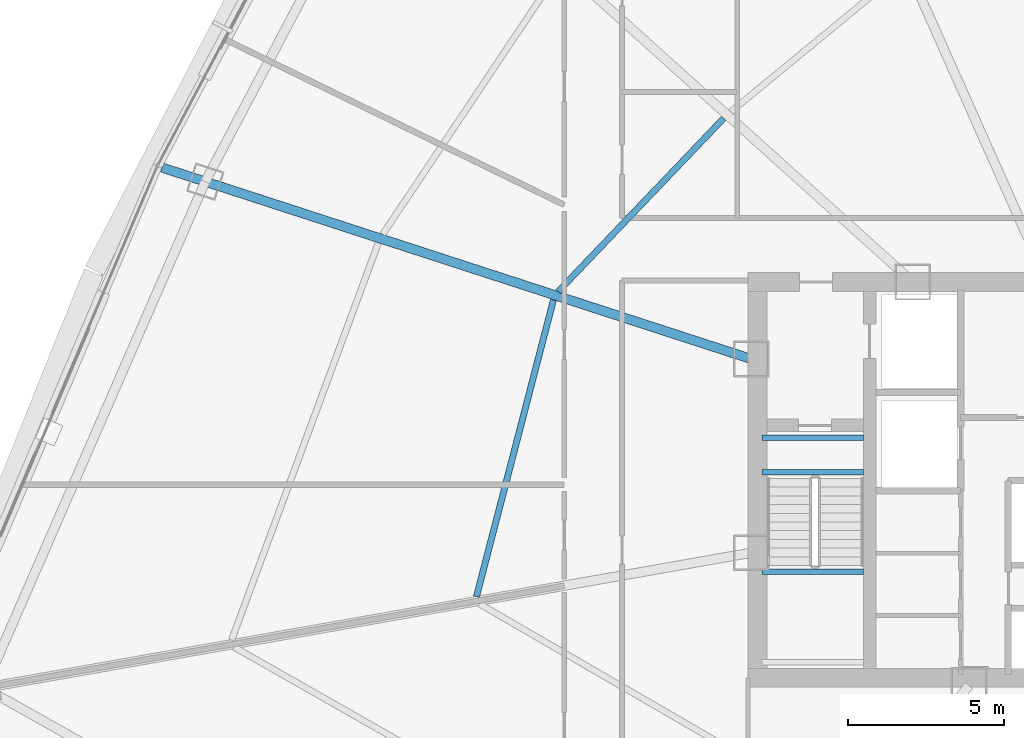
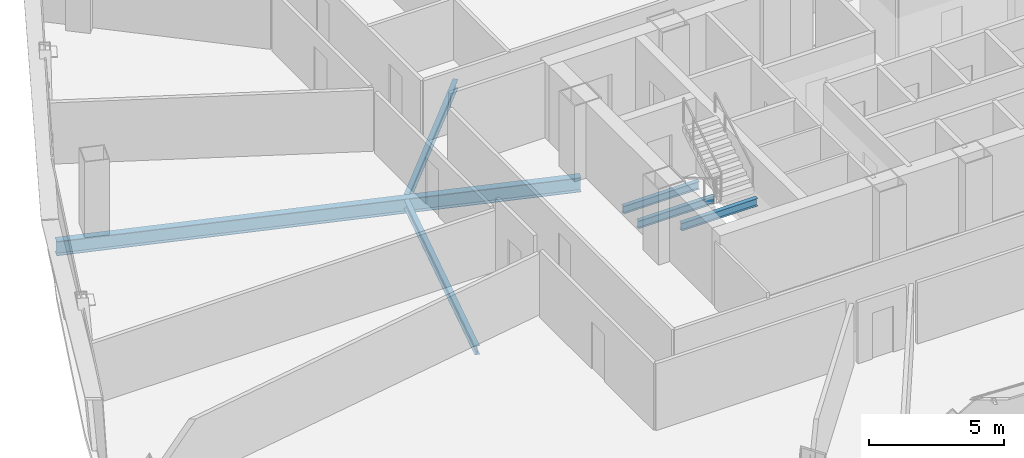
# One storey, part 9 of 39: 6 beams.
"""IFC4 building model written with IfcOpenShell, lengths in metres."""

from ifc_helpers import new_model, si_unit, direction, frame, origin, origin_2d, place, context, subcontext, project, spatial, i_section, extrude, source, transform, mapped, material, material_profile, profile_set, type_object, element, save


model = new_model("IFC4")

# Units and contexts
model_context = context("Model", 3, precision=1e-05, world=origin(), true_north=direction((0.0, 1.0)))
body_context = subcontext(model_context, "Body", "Model", "MODEL_VIEW")
ifc_project = project(units=[si_unit("LENGTHUNIT", "METRE"), si_unit("AREAUNIT", "SQUARE_METRE"), si_unit("VOLUMEUNIT", "CUBIC_METRE"), si_unit("PLANEANGLEUNIT", "RADIAN"), si_unit("MASSUNIT", "GRAM", prefix="KILO"), si_unit("THERMODYNAMICTEMPERATUREUNIT", "KELVIN"), si_unit("POWERUNIT", "WATT")], contexts=[model_context])

# Site, building, storey
site_placement = place(None, origin())
site = spatial("IfcSite", under=ifc_project, at=site_placement, CompositionType="ELEMENT")
building_placement = place(site_placement, origin())
building = spatial("IfcBuilding", under=site, at=building_placement, Name="Yunzhuo Pagoda Commons", CompositionType="ELEMENT")
storey_placement = place(building_placement, frame((0.0, 0.0, 148.22998046875)))
storey = spatial("IfcBuildingStorey", under=building, at=storey_placement, Name="L37", CompositionType="ELEMENT", Elevation=148.22998046875)

# Beams
ifc_material = material(Name="Structural steel Q355B", Category="steel")
ifc_material_profile_1 = material_profile(ifc_material, i_section(OverallWidth=0.175048828125, OverallDepth=0.35009765625, WebThickness=0.007080078125, FlangeThickness=0.010986328125, at=origin_2d()), Name="Structural steel Q355B")
ifc_profile_set_1 = profile_set([ifc_material_profile_1], Name="Structural steel Q355B")
beam_type_1 = type_object("IfcBeamType", Name="B-JS2 Joist HN 350x175x7x11", PredefinedType="JOIST", material=ifc_profile_set_1)
shared_shape_1 = source(origin(), body_context, "Body", "SweptSolid", [
    extrude(i_section(OverallWidth=0.175048828125, OverallDepth=0.35009765625, WebThickness=0.007080078125, FlangeThickness=0.010986328125, at=origin_2d()), origin(), (0.0, 0.0, 1.0), 3.25),
])
for number, where, z_axis, x_axis, name in (
    (1, (35.949951171875, 30.89990234375, 1.465087890625), (1.0, 0.0, 0.0), (0.0, 1.0, 0.0), "L37 ST1 landing support beam 43B"),
    (2, (35.949951171875, 34.10009765625, -0.374755859375), (1.0, 0.0, 0.0), (0.0, 1.0, 0.0), "L37 ST1 landing support beam 141A"),
    (3, (35.949951171875, 35.199951171875, -0.374755859375), (1.0, 0.0, 0.0), (0.0, 1.0, 0.0), "L37 ST1 landing support beam 141B"),
):
    element("IfcBeam", number, at=place(storey_placement, frame(where, z_axis=z_axis, x_axis=x_axis)), inside=storey, type_object=beam_type_1, Name=name, PredefinedType="JOIST", context=body_context, shape_type="MappedRepresentation", body=[
        mapped(shared_shape_1, transform((0.0, 0.0, 0.0), scale=1.0)),
    ])
ifc_material_profile_2 = material_profile(ifc_material, i_section(OverallWidth=0.199951171875, OverallDepth=0.39990234375, WebThickness=0.008056640625, FlangeThickness=0.012939453125, at=origin_2d()), Name="Structural steel Q355B")
ifc_profile_set_2 = profile_set([ifc_material_profile_2], Name="Structural steel Q355B")
beam_type_2 = type_object("IfcBeamType", Name="B-JS1 Joist HN 400x200x8x13", PredefinedType="JOIST", material=ifc_profile_set_2)
shared_shape_2 = source(origin(), body_context, "Body", "SweptSolid", [
    extrude(i_section(OverallWidth=0.199951171875, OverallDepth=0.39990234375, WebThickness=0.008056640625, FlangeThickness=0.012939453125, at=origin_2d()), origin(), (0.0, 0.0, 1.0), 9.8330078125),
])
beam_1_placement = place(storey_placement, frame((29.254638671875, 39.623779296875, -0.459716796875), z_axis=(-0.251166367041, -0.967943932295, 0.0), x_axis=(0.967943932295, -0.251166367041, 0.0)))
element("IfcBeam", 4, at=beam_1_placement, inside=storey, type_object=beam_type_2, Name="L37 composite ring joist 1.11", PredefinedType="JOIST", context=body_context, shape_type="MappedRepresentation", body=[
    mapped(shared_shape_2, transform((0.0, 0.0, 0.0), scale=1.0)),
])
shared_shape_3 = source(origin(), body_context, "Body", "SweptSolid", [
    extrude(i_section(OverallWidth=0.199951171875, OverallDepth=0.39990234375, WebThickness=0.008056640625, FlangeThickness=0.012939453125, at=origin_2d()), origin(), (0.0, 0.0, 1.0), 7.685546875),
])
beam_2_placement = place(storey_placement, frame((34.714111328125, 45.448974609375, -0.459716796875), z_axis=(-0.690882862648, -0.722966714378, 0.0), x_axis=(0.722966714378, -0.690882862648, 0.0)))
element("IfcBeam", 5, at=beam_2_placement, inside=storey, type_object=beam_type_2, Name="L37 composite ring joist 1.10", PredefinedType="JOIST", context=body_context, shape_type="MappedRepresentation", body=[
    mapped(shared_shape_3, transform((0.0, 0.0, 0.0), scale=1.0)),
])
ifc_material_profile_3 = material_profile(ifc_material, i_section(OverallWidth=0.300048828125, OverallDepth=0.64990234375, WebThickness=0.012939453125, FlangeThickness=0.02197265625, at=origin_2d()), Name="Structural steel Q355B")
ifc_profile_set_3 = profile_set([ifc_material_profile_3], Name="Structural steel Q355B")
beam_type_3 = type_object("IfcBeamType", Name="B-RG2 Beam HN 650x300x13x22", PredefinedType="BEAM", material=ifc_profile_set_3)
shared_shape_4 = source(origin(), body_context, "Body", "SweptSolid", [
    extrude(i_section(OverallWidth=0.300048828125, OverallDepth=0.64990234375, WebThickness=0.012939453125, FlangeThickness=0.02197265625, at=origin_2d()), origin(), (0.0, 0.0, 1.0), 19.877197265625),
])
beam_3_placement = place(storey_placement, frame((16.69580078125, 43.871337890625, -0.584716796875), z_axis=(0.951057172971, -0.309014973328, 0.0), x_axis=(0.309014973328, 0.951057172971, 0.0)))
element("IfcBeam", 6, at=beam_3_placement, inside=storey, type_object=beam_type_3, Name="L37 radial floor girder F3C3", PredefinedType="BEAM", context=body_context, shape_type="MappedRepresentation", body=[
    mapped(shared_shape_4, transform((0.0, 0.0, 0.0), scale=1.0)),
])

save(model, "model.ifc")
